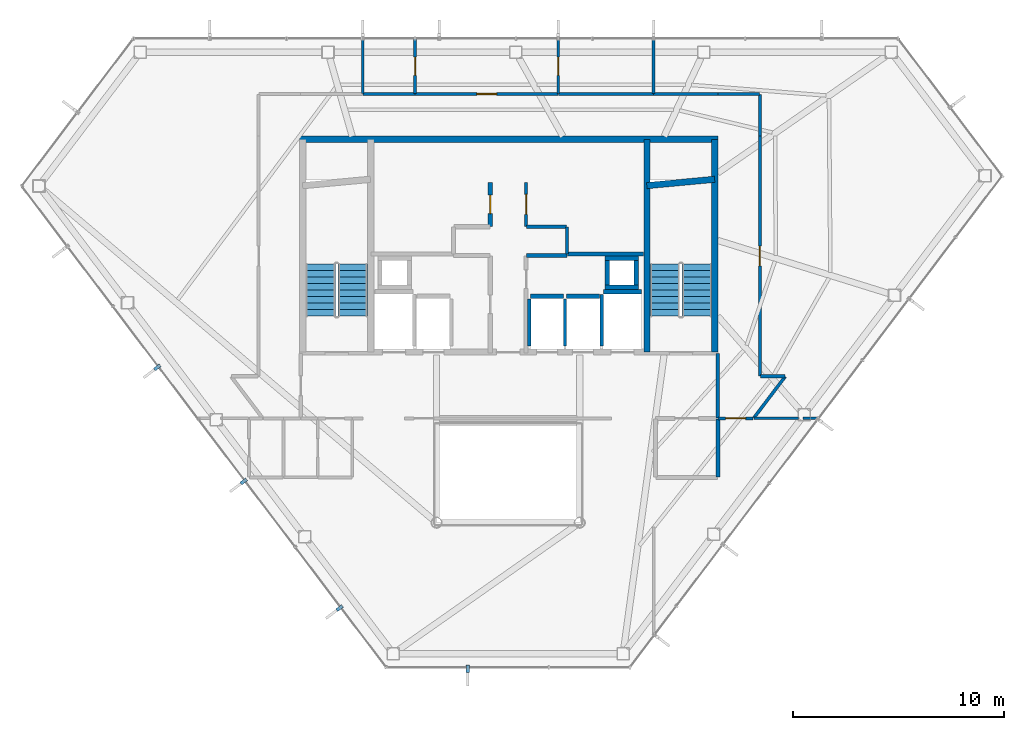
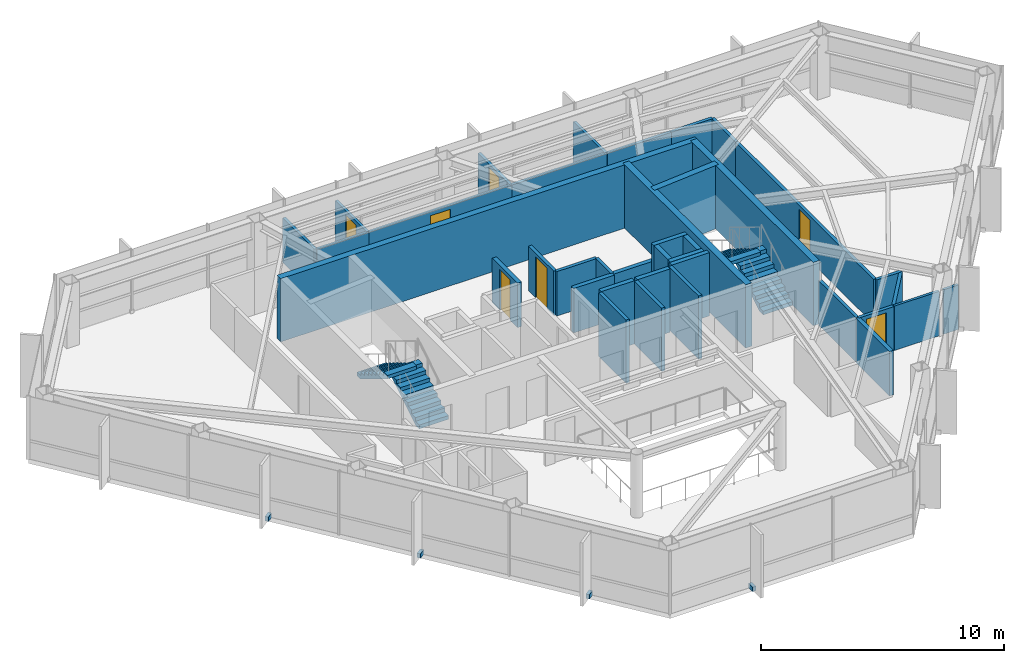
# One storey, part 25 of 27: 38 walls, 7 doors, 4 discrete accessories, 4 stair flights, 7 openings, 2 elements without a shape of their own.
"""IFC4 building model written with IfcOpenShell, lengths in metres."""

from ifc_helpers import new_model, si_unit, direction, frame, frame_2d, origin, origin_2d, place, context, subcontext, project, spatial, polyline, rectangle, outline, extrude, material, layer, layer_set, type_object, element, fill, aggregate, save


model = new_model("IFC4")

# Units and contexts
model_context = context("Model", 3, precision=1e-05, world=origin(), true_north=direction((0.0, 1.0)))
body_context = subcontext(model_context, "Body", "Model", "MODEL_VIEW")
ifc_project = project(units=[si_unit("LENGTHUNIT", "METRE"), si_unit("AREAUNIT", "SQUARE_METRE"), si_unit("VOLUMEUNIT", "CUBIC_METRE"), si_unit("PLANEANGLEUNIT", "RADIAN"), si_unit("MASSUNIT", "GRAM", prefix="KILO")], contexts=[model_context])

# Site, building, storey
site_placement = place(None, origin())
site = spatial("IfcSite", under=ifc_project, at=site_placement, CompositionType="ELEMENT")
building_placement = place(site_placement, origin())
building = spatial("IfcBuilding", under=site, at=building_placement, Name="Zarrinselat Tower", CompositionType="ELEMENT")
storey_placement = place(building_placement, frame((0.0, 0.0, 232.56005859375)))
storey = spatial("IfcBuildingStorey", under=building, at=storey_placement, Name="L58", CompositionType="ELEMENT", Elevation=232.56005859375)

# Wall
ifc_material_1 = material(Name="Concrete C40/50", Category="concrete")
ifc_layer_1 = layer(ifc_material_1, 0.18994140625)
ifc_layer_set_1 = layer_set([ifc_layer_1], Name="Concrete C40/50")
wall_type_1 = type_object("IfcWallType", Name="WAL-PART-EI120", PredefinedType="PARTITIONING", material=ifc_layer_set_1)
wall_1_placement = place(storey_placement, frame((48.35009765625, 27.3701171875, 0.0), z_axis=(0.0, 0.0, 1.0), x_axis=(0.0, 1.0, 0.0)))
element("IfcWall", 1, at=wall_1_placement, inside=storey, type_object=wall_type_1, Name="L58 Partition Wall 22", PredefinedType="PARTITIONING", context=body_context, shape_type="SweptSolid", body=[
    extrude(rectangle(XDim=2.759765625, YDim=0.18994140625, at=frame_2d((1.3798828125, 0.0))), origin(), (0.0, 0.0, 1.0), 2.23486328125),
])

# Wall, opening, door
ifc_material_2 = material(Name="Fire-Rated Gypsum Board Partition", Category="gypsum")
ifc_layer_2 = layer(ifc_material_2, 0.14990234375)
ifc_layer_set_2 = layer_set([ifc_layer_2], Name="Fire-Rated Gypsum Board Partition")
wall_type_2 = type_object("IfcWallType", Name="WAL-PART-EI60", PredefinedType="PARTITIONING", material=ifc_layer_set_2)
wall_2_placement = place(storey_placement, frame((39.25, 39.27001953125, 0.0), z_axis=(0.0, 0.0, 1.0), x_axis=(0.0, 1.0, 0.0)))
wall_2 = element("IfcWall", 2, at=wall_2_placement, inside=storey, type_object=wall_type_2, Name="L58 Partition Wall 8", PredefinedType="PARTITIONING", context=body_context, shape_type="SweptSolid", body=[
    extrude(rectangle(XDim=2.080078125, YDim=0.14990234375, at=frame_2d((1.0400390625, 0.0))), origin(), (0.0, 0.0, 1.0), 2.23486328125),
])
opening_1_placement = place(wall_2_placement, frame((0.570068359375, 0.0, 0.0)))
opening_1 = element("IfcOpeningElement", 3, at=opening_1_placement, cuts=wall_2, Name="Opening ID-04", PredefinedType="OPENING", context=body_context, shape_type="SweptSolid", body=[
    extrude(rectangle(XDim=0.93994140625, YDim=2.050048828125, at=frame_2d((0.469970703125, 1.02490234375))), frame((0.0, 0.0849609375, 0.0), z_axis=(0.0, -1.0, 0.0), x_axis=(1.0, 0.0, 0.0)), (0.0, 0.0, 1.0), 0.169921875),
])
ifc_material_3 = material(Name="Fire-Rated Gypsum Board Partition")
door_type_1 = type_object("IfcDoorType", Name="DR-INT-FD30-ENT", OperationType="NOTDEFINED", PredefinedType="DOOR", material=ifc_material_3)
door_1_placement = place(opening_1_placement, origin())
door_1 = element("IfcDoor", 4, at=door_1_placement, inside=storey, type_object=door_type_1, Name="L58 Interior Door P8", OperationType="SINGLE_SWING_LEFT", OverallHeight=2.050048828125, OverallWidth=0.93994140625, PredefinedType="DOOR", context=body_context, shape_type="SweptSolid", body=[
    extrude(rectangle(XDim=0.93994140625, YDim=2.050048828125, at=frame_2d((0.469970703125, 1.02490234375))), frame((0.0, 0.02490234375, 0.0), z_axis=(0.0, -1.0, 0.0), x_axis=(1.0, 0.0, 0.0)), (0.0, 0.0, 1.0), 0.050048828125),
])
fill(opening_1, door_1)

# Walls
wall_3_placement = place(storey_placement, frame((39.27001953125, 39.25, 0.0), z_axis=(0.0, 0.0, 1.0), x_axis=(1.0, 0.0, 0.0)))
element("IfcWall", 5, at=wall_3_placement, inside=storey, type_object=wall_type_2, Name="L58 Partition Wall 9", PredefinedType="PARTITIONING", context=body_context, shape_type="SweptSolid", body=[
    extrude(rectangle(XDim=1.909912109375, YDim=0.14990234375, at=frame_2d((0.955078125, 0.0))), origin(), (0.0, 0.0, 1.0), 2.23486328125),
])
wall_4_placement = place(storey_placement, frame((41.199951171875, 37.955078125, 0.0), z_axis=(0.0, 0.0, 1.0), x_axis=(0.0, 1.0, 0.0)))
element("IfcWall", 6, at=wall_4_placement, inside=storey, type_object=wall_type_2, Name="L58 Partition Wall 10", PredefinedType="PARTITIONING", context=body_context, shape_type="SweptSolid", body=[
    extrude(rectangle(XDim=1.27490234375, YDim=0.14990234375, at=frame_2d((0.637451171875, 0.0))), origin(), (0.0, 0.0, 1.0), 2.23486328125),
])
wall_5_placement = place(storey_placement, frame((48.35009765625, 30.169921875, 0.0), z_axis=(0.0, 0.0, 1.0), x_axis=(0.0, 1.0, 0.0)))
element("IfcWall", 7, at=wall_5_placement, inside=storey, type_object=wall_type_2, Name="L58 Partition Wall 15", PredefinedType="PARTITIONING", context=body_context, shape_type="SweptSolid", body=[
    extrude(rectangle(XDim=3.06005859375, YDim=0.14990234375, at=frame_2d((1.530029296875, 0.0))), origin(), (0.0, 0.0, 1.0), 2.23486328125),
])

# Wall, opening, door
wall_6_placement = place(storey_placement, frame((48.3701171875, 30.14990234375, 0.0), z_axis=(0.0, 0.0, 1.0), x_axis=(1.0, 0.0, 0.0)))
wall_6 = element("IfcWall", 8, at=wall_6_placement, inside=storey, type_object=wall_type_2, Name="L58 Partition Wall 25", PredefinedType="PARTITIONING", context=body_context, shape_type="SweptSolid", body=[
    extrude(rectangle(XDim=1.6552734375, YDim=0.14990234375, at=frame_2d((0.82763671875, 0.0))), origin(), (0.0, 0.0, 1.0), 2.23486328125),
])
opening_2_placement = place(wall_6_placement, frame((0.357666015625, 0.0, 0.0)))
opening_2 = element("IfcOpeningElement", 9, at=opening_2_placement, cuts=wall_6, Name="Opening ID-04", PredefinedType="OPENING", context=body_context, shape_type="SweptSolid", body=[
    extrude(rectangle(XDim=0.93994140625, YDim=2.050048828125, at=frame_2d((0.469970703125, 1.02490234375))), frame((0.0, 0.0849609375, 0.0), z_axis=(0.0, -1.0, 0.0), x_axis=(1.0, 0.0, 0.0)), (0.0, 0.0, 1.0), 0.169921875),
])
door_2_placement = place(opening_2_placement, origin())
door_2 = element("IfcDoor", 10, at=door_2_placement, inside=storey, type_object=door_type_1, Name="L58 Interior Door P25", OperationType="SINGLE_SWING_RIGHT", OverallHeight=2.050048828125, OverallWidth=0.93994140625, PredefinedType="DOOR", context=body_context, shape_type="SweptSolid", body=[
    extrude(rectangle(XDim=0.93994140625, YDim=2.050048828125, at=frame_2d((0.469970703125, 1.02490234375))), frame((0.0, 0.02490234375, 0.0), z_axis=(0.0, -1.0, 0.0), x_axis=(1.0, 0.0, 0.0)), (0.0, 0.0, 1.0), 0.050048828125),
])
fill(opening_2, door_2)

# Walls
wall_7_placement = place(storey_placement, frame((45.304931640625, 45.550048828125, 0.0), z_axis=(0.0, 0.0, 1.0), x_axis=(1.0, 0.0, 0.0)))
element("IfcWall", 11, at=wall_7_placement, inside=storey, type_object=wall_type_2, Name="L58 Partition Wall 32", PredefinedType="PARTITIONING", context=body_context, shape_type="SweptSolid", body=[
    extrude(rectangle(XDim=3.045166015625, YDim=0.14990234375, at=frame_2d((1.5224609375, 0.0))), origin(), (0.0, 0.0, 1.0), 2.23486328125),
])
for number, where, z_axis, x_axis, name in (
    (12, (48.35009765625, 45.550048828125, 0.0), (0.0, 0.0, 1.0), (1.0, 0.0, 0.0), "L58 Partition Wall 33"),
    (13, (50.35009765625, 43.550048828125, 0.0), (0.0, 0.0, 1.0), (0.0, 1.0, 0.0), "L58 Partition Wall 34"),
):
    element("IfcWall", number, at=place(storey_placement, frame(where, z_axis=z_axis, x_axis=x_axis)), inside=storey, type_object=wall_type_2, Name=name, PredefinedType="PARTITIONING", context=body_context, shape_type="SweptSolid", body=[
        extrude(rectangle(XDim=1.97998046875, YDim=0.14990234375, at=frame_2d((0.989990234375, 0.0))), origin(), (0.0, 0.0, 1.0), 2.23486328125),
    ])

# Wall, opening, door
wall_8_placement = place(storey_placement, frame((50.35009765625, 32.169921875, 0.0), z_axis=(0.0, 0.0, 1.0), x_axis=(0.0, 1.0, 0.0)))
wall_8 = element("IfcWall", 14, at=wall_8_placement, inside=storey, type_object=wall_type_2, Name="L58 Partition Wall 35", PredefinedType="PARTITIONING", context=body_context, shape_type="SweptSolid", body=[
    extrude(rectangle(XDim=11.380126953125, YDim=0.14990234375, at=frame_2d((5.68994140625, 0.0))), origin(), (0.0, 0.0, 1.0), 2.23486328125),
])
opening_3_placement = place(wall_8_placement, frame((5.219970703125, 0.0, 0.0)))
opening_3 = element("IfcOpeningElement", 15, at=opening_3_placement, cuts=wall_8, Name="Opening ID-04", PredefinedType="OPENING", context=body_context, shape_type="SweptSolid", body=[
    extrude(rectangle(XDim=0.93994140625, YDim=2.050048828125, at=frame_2d((0.469970703125, 1.02490234375))), frame((0.0, 0.0849609375, 0.0), z_axis=(0.0, -1.0, 0.0), x_axis=(1.0, 0.0, 0.0)), (0.0, 0.0, 1.0), 0.169921875),
])
door_3_placement = place(opening_3_placement, origin())
door_3 = element("IfcDoor", 16, at=door_3_placement, inside=storey, type_object=door_type_1, Name="L58 Interior Door P35", OperationType="SINGLE_SWING_RIGHT", OverallHeight=2.050048828125, OverallWidth=0.93994140625, PredefinedType="DOOR", context=body_context, shape_type="SweptSolid", body=[
    extrude(rectangle(XDim=0.93994140625, YDim=2.050048828125, at=frame_2d((0.469970703125, 1.02490234375))), frame((0.0, 0.02490234375, 0.0), z_axis=(0.0, -1.0, 0.0), x_axis=(1.0, 0.0, 0.0)), (0.0, 0.0, 1.0), 0.050048828125),
])
fill(opening_3, door_3)

# Walls
wall_9_placement = place(storey_placement, frame((50.3701171875, 32.14990234375, 0.0), z_axis=(0.0, 0.0, 1.0), x_axis=(1.0, 0.0, 0.0)))
element("IfcWall", 17, at=wall_9_placement, inside=storey, type_object=wall_type_2, Name="L58 Partition Wall 36", PredefinedType="PARTITIONING", context=body_context, shape_type="SweptSolid", body=[
    extrude(rectangle(XDim=1.17041015625, YDim=0.14990234375, at=frame_2d((0.585205078125, 0.0))), origin(), (0.0, 0.0, 1.0), 2.23486328125),
])
wall_10_placement = place(storey_placement, frame((50.057373046875, 30.166015625, 0.0), z_axis=(0.0, 0.0, 1.0), x_axis=(0.603869110647, 0.797083494502, 0.0)))
element("IfcWall", 18, at=wall_10_placement, inside=storey, type_object=wall_type_2, Name="L58 Partition Wall 37", PredefinedType="PARTITIONING", context=body_context, shape_type="SweptSolid", body=[
    extrude(rectangle(XDim=2.468994140625, YDim=0.14990234375, at=frame_2d((1.234375, 0.0))), origin(), (0.0, 0.0, 1.0), 2.23486328125),
])

# Wall, opening, door
wall_11_placement = place(storey_placement, frame((33.989013671875, 45.550048828125, 0.0), z_axis=(0.0, 0.0, 1.0), x_axis=(1.0, 0.0, 0.0)))
wall_11 = element("IfcWall", 19, at=wall_11_placement, inside=storey, type_object=wall_type_2, Name="L58 Partition Wall 38", PredefinedType="PARTITIONING", context=body_context, shape_type="SweptSolid", body=[
    extrude(rectangle(XDim=6.779541015625, YDim=0.14990234375, at=frame_2d((3.3896484375, 0.0))), origin(), (0.0, 0.0, 1.0), 2.23486328125),
])
opening_4_placement = place(wall_11_placement, frame((2.919921875, 0.0, 0.0)))
opening_4 = element("IfcOpeningElement", 20, at=opening_4_placement, cuts=wall_11, Name="Opening ID-04", PredefinedType="OPENING", context=body_context, shape_type="SweptSolid", body=[
    extrude(rectangle(XDim=0.93994140625, YDim=2.050048828125, at=frame_2d((0.469970703125, 1.02490234375))), frame((0.0, 0.0849609375, 0.0), z_axis=(0.0, -1.0, 0.0), x_axis=(1.0, 0.0, 0.0)), (0.0, 0.0, 1.0), 0.169921875),
])
door_4_placement = place(opening_4_placement, origin())
door_4 = element("IfcDoor", 21, at=door_4_placement, inside=storey, type_object=door_type_1, Name="L58 Interior Door P38", OperationType="SINGLE_SWING_LEFT", OverallHeight=2.050048828125, OverallWidth=0.93994140625, PredefinedType="DOOR", context=body_context, shape_type="SweptSolid", body=[
    extrude(rectangle(XDim=0.93994140625, YDim=2.050048828125, at=frame_2d((0.469970703125, 1.02490234375))), frame((0.0, 0.02490234375, 0.0), z_axis=(0.0, -1.0, 0.0), x_axis=(1.0, 0.0, 0.0)), (0.0, 0.0, 1.0), 0.050048828125),
])
fill(opening_4, door_4)

# Walls
wall_12_placement = place(storey_placement, frame((40.778564453125, 45.550048828125, 0.0), z_axis=(0.0, 0.0, 1.0), x_axis=(1.0, 0.0, 0.0)))
element("IfcWall", 22, at=wall_12_placement, inside=storey, type_object=wall_type_2, Name="L58 Partition Wall 39", PredefinedType="PARTITIONING", context=body_context, shape_type="SweptSolid", body=[
    extrude(rectangle(XDim=4.516357421875, YDim=0.14990234375, at=frame_2d((2.25830078125, 0.0))), origin(), (0.0, 0.0, 1.0), 2.23486328125),
])
wall_13_placement = place(storey_placement, frame((31.5048828125, 45.550048828125, 0.0), z_axis=(0.0, 0.0, 1.0), x_axis=(1.0, 0.0, 0.0)))
element("IfcWall", 23, at=wall_13_placement, inside=storey, type_object=wall_type_2, Name="L58 Partition Wall 40", PredefinedType="PARTITIONING", context=body_context, shape_type="SweptSolid", body=[
    extrude(rectangle(XDim=2.47412109375, YDim=0.14990234375, at=frame_2d((1.237060546875, 0.0))), origin(), (0.0, 0.0, 1.0), 2.23486328125),
])

# Wall, opening, door
ifc_material_4 = material(Name="Concrete C40/50", Category="concrete")
ifc_layer_3 = layer(ifc_material_4, 0.199951171875)
ifc_layer_set_3 = layer_set([ifc_layer_3], Name="Concrete C40/50")
wall_type_3 = type_object("IfcWallType", Name="WAL-PART-PLANT", PredefinedType="PARTITIONING", material=ifc_layer_set_3)
wall_14_placement = place(storey_placement, frame((37.550048828125, 39.27001953125, 0.0), z_axis=(0.0, 0.0, 1.0), x_axis=(0.0, 1.0, 0.0)))
wall_14 = element("IfcWall", 24, at=wall_14_placement, inside=storey, type_object=wall_type_3, Name="L58 Partition Wall 5", PredefinedType="PARTITIONING", context=body_context, shape_type="SweptSolid", body=[
    extrude(rectangle(XDim=2.080078125, YDim=0.199951171875, at=frame_2d((1.0400390625, 0.0))), origin(), (0.0, 0.0, 1.0), 2.23486328125),
])
opening_5_placement = place(wall_14_placement, frame((0.60009765625, 0.0, 0.0)))
opening_5 = element("IfcOpeningElement", 25, at=opening_5_placement, cuts=wall_14, Name="Opening ID-03", PredefinedType="OPENING", context=body_context, shape_type="SweptSolid", body=[
    extrude(rectangle(XDim=0.8798828125, YDim=2.050048828125, at=frame_2d((0.43994140625, 1.02490234375))), frame((0.0, 0.10986328125, 0.0), z_axis=(0.0, -1.0, 0.0), x_axis=(1.0, 0.0, 0.0)), (0.0, 0.0, 1.0), 0.219970703125),
])
ifc_material_5 = material(Name="Steel S355J2", Category="steel")
door_type_2 = type_object("IfcDoorType", Name="DR-INT-FD60-S", OperationType="NOTDEFINED", PredefinedType="DOOR", material=ifc_material_5)
door_5_placement = place(opening_5_placement, origin())
door_5 = element("IfcDoor", 26, at=door_5_placement, inside=storey, type_object=door_type_2, Name="L58 Interior Door P5", OperationType="SINGLE_SWING_LEFT", OverallHeight=2.050048828125, OverallWidth=0.8798828125, PredefinedType="DOOR", context=body_context, shape_type="SweptSolid", body=[
    extrude(rectangle(XDim=0.8798828125, YDim=2.050048828125, at=frame_2d((0.43994140625, 1.02490234375))), frame((0.0, 0.02490234375, 0.0), z_axis=(0.0, -1.0, 0.0), x_axis=(1.0, 0.0, 0.0)), (0.0, 0.0, 1.0), 0.050048828125),
])
fill(opening_5, door_5)

# Walls
wall_15_placement = place(storey_placement, frame((39.27001953125, 37.8798828125, 0.0), z_axis=(0.0, 0.0, 1.0), x_axis=(1.0, 0.0, 0.0)))
element("IfcWall", 27, at=wall_15_placement, inside=storey, type_object=wall_type_3, Name="L58 Partition Wall 6", PredefinedType="PARTITIONING", context=body_context, shape_type="SweptSolid", body=[
    extrude(rectangle(XDim=1.929931640625, YDim=0.199951171875, at=frame_2d((0.96484375, 0.0))), origin(), (0.0, 0.0, 1.0), 2.23486328125),
])
wall_16_placement = place(storey_placement, frame((41.219970703125, 37.949951171875, 0.0), z_axis=(0.0, 0.0, 1.0), x_axis=(1.0, 0.0, 0.0)))
element("IfcWall", 28, at=wall_16_placement, inside=storey, type_object=wall_type_3, Name="L58 Partition Wall 12", PredefinedType="PARTITIONING", context=body_context, shape_type="SweptSolid", body=[
    extrude(rectangle(XDim=3.614990234375, YDim=0.199951171875, at=frame_2d((1.8076171875, 0.0))), origin(), (0.0, 0.0, 1.0), 2.23486328125),
])
ifc_material_6 = material(Name="Fire-Rated Gypsum Board Partition", Category="gypsum")
ifc_layer_4 = layer(ifc_material_6, 0.1201171875)
ifc_layer_set_4 = layer_set([ifc_layer_4], Name="Fire-Rated Gypsum Board Partition")
wall_type_4 = type_object("IfcWallType", Name="WAL-PART-STD", PredefinedType="PARTITIONING", material=ifc_layer_set_4)
wall_17_placement = place(storey_placement, frame((50.065185546875, 30.14990234375, 0.0), z_axis=(0.0, 0.0, 1.0), x_axis=(1.0, 0.0, 0.0)))
element("IfcWall", 29, at=wall_17_placement, inside=storey, type_object=wall_type_4, Name="L58 Partition Wall 52", PredefinedType="PARTITIONING", context=body_context, shape_type="SweptSolid", body=[
    extrude(rectangle(XDim=2.13134765625, YDim=0.1201171875, at=frame_2d((1.065673828125, 0.0))), origin(), (0.0, 0.0, 1.0), 2.23486328125),
])
wall_18_placement = place(storey_placement, frame((52.403564453125, 30.14990234375, 0.0), z_axis=(0.0, 0.0, 1.0), x_axis=(1.0, 0.0, 0.0)))
element("IfcWall", 30, at=wall_18_placement, inside=storey, type_object=wall_type_4, Name="L58 Partition Wall 53", PredefinedType="PARTITIONING", context=body_context, shape_type="SweptSolid", body=[
    extrude(rectangle(XDim=0.712890625, YDim=0.1201171875, at=frame_2d((0.3564453125, 0.0))), origin(), (0.0, 0.0, 1.0), 2.23486328125),
])
ifc_material_7 = material(Name="Fire-Rated Gypsum Board Partition", Category="gypsum")
ifc_layer_5 = layer(ifc_material_7, 0.135009765625)
ifc_layer_set_5 = layer_set([ifc_layer_5], Name="Fire-Rated Gypsum Board Partition")
wall_type_5 = type_object("IfcWallType", Name="WAL-PART-WET", PredefinedType="PARTITIONING", material=ifc_layer_set_5)
for number, where, z_axis, x_axis, name in (
    (31, (31.5, 45.570068359375, 0.0), (0.0, 0.0, 1.0), (0.0, 1.0, 0.0), "L58 Partition Wall 54"),
    (32, (45.300048828125, 45.570068359375, 0.0), (0.0, 0.0, 1.0), (0.0, 1.0, 0.0), "L58 Partition Wall 55"),
):
    element("IfcWall", number, at=place(storey_placement, frame(where, z_axis=z_axis, x_axis=x_axis)), inside=storey, type_object=wall_type_5, Name=name, PredefinedType="PARTITIONING", context=body_context, shape_type="SweptSolid", body=[
        extrude(rectangle(XDim=2.5927734375, YDim=0.135009765625, at=frame_2d((1.29638671875, 0.0))), origin(), (0.0, 0.0, 1.0), 2.23486328125),
    ])

# Wall, opening, door
wall_19_placement = place(storey_placement, frame((40.773681640625, 45.570068359375, 0.0), z_axis=(0.0, 0.0, 1.0), x_axis=(0.0, 1.0, 0.0)))
wall_19 = element("IfcWall", 33, at=wall_19_placement, inside=storey, type_object=wall_type_5, Name="L58 Partition Wall 56", PredefinedType="PARTITIONING", context=body_context, shape_type="SweptSolid", body=[
    extrude(rectangle(XDim=2.5927734375, YDim=0.135009765625, at=frame_2d((1.29638671875, 0.0))), origin(), (0.0, 0.0, 1.0), 2.23486328125),
])
opening_6_placement = place(wall_19_placement, frame((0.866455078125, 0.0, 0.0)))
opening_6 = element("IfcOpeningElement", 34, at=opening_6_placement, cuts=wall_19, Name="Opening ID-06", PredefinedType="OPENING", context=body_context, shape_type="SweptSolid", body=[
    extrude(rectangle(XDim=0.860107421875, YDim=2.050048828125, at=frame_2d((0.43017578125, 1.02490234375))), frame((0.0, 0.077392578125, 0.0), z_axis=(0.0, -1.0, 0.0), x_axis=(1.0, 0.0, 0.0)), (0.0, 0.0, 1.0), 0.155029296875),
])
ifc_material_8 = material(Name="Extruded Aluminium Alloy EN AW-6063 T6", Category="aluminium")
door_type_3 = type_object("IfcDoorType", Name="DR-INT-WET-900", OperationType="NOTDEFINED", PredefinedType="DOOR", material=ifc_material_8)
door_6_placement = place(opening_6_placement, origin())
door_6 = element("IfcDoor", 35, at=door_6_placement, inside=storey, type_object=door_type_3, Name="L58 Interior Door P56", OperationType="SINGLE_SWING_RIGHT", OverallHeight=2.050048828125, OverallWidth=0.860107421875, PredefinedType="DOOR", context=body_context, shape_type="SweptSolid", body=[
    extrude(rectangle(XDim=0.860107421875, YDim=2.050048828125, at=frame_2d((0.43017578125, 1.02490234375))), frame((0.0, 0.02490234375, 0.0), z_axis=(0.0, -1.0, 0.0), x_axis=(1.0, 0.0, 0.0)), (0.0, 0.0, 1.0), 0.050048828125),
])
fill(opening_6, door_6)

wall_20_placement = place(storey_placement, frame((33.98388671875, 45.570068359375, 0.0), z_axis=(0.0, 0.0, 1.0), x_axis=(0.0, 1.0, 0.0)))
wall_20 = element("IfcWall", 36, at=wall_20_placement, inside=storey, type_object=wall_type_5, Name="L58 Partition Wall 57", PredefinedType="PARTITIONING", context=body_context, shape_type="SweptSolid", body=[
    extrude(rectangle(XDim=2.5927734375, YDim=0.135009765625, at=frame_2d((1.29638671875, 0.0))), origin(), (0.0, 0.0, 1.0), 2.23486328125),
])
opening_7_placement = place(wall_20_placement, frame((0.866455078125, 0.0, 0.0)))
opening_7 = element("IfcOpeningElement", 37, at=opening_7_placement, cuts=wall_20, Name="Opening ID-06", PredefinedType="OPENING", context=body_context, shape_type="SweptSolid", body=[
    extrude(rectangle(XDim=0.860107421875, YDim=2.050048828125, at=frame_2d((0.43017578125, 1.02490234375))), frame((0.0, 0.077392578125, 0.0), z_axis=(0.0, -1.0, 0.0), x_axis=(1.0, 0.0, 0.0)), (0.0, 0.0, 1.0), 0.155029296875),
])
door_7_placement = place(opening_7_placement, origin())
door_7 = element("IfcDoor", 38, at=door_7_placement, inside=storey, type_object=door_type_3, Name="L58 Interior Door P57", OperationType="SINGLE_SWING_LEFT", OverallHeight=2.050048828125, OverallWidth=0.860107421875, PredefinedType="DOOR", context=body_context, shape_type="SweptSolid", body=[
    extrude(rectangle(XDim=0.860107421875, YDim=2.050048828125, at=frame_2d((0.43017578125, 1.02490234375))), frame((0.0, 0.02490234375, 0.0), z_axis=(0.0, -1.0, 0.0), x_axis=(1.0, 0.0, 0.0)), (0.0, 0.0, 1.0), 0.050048828125),
])
fill(opening_7, door_7)

# Walls
ifc_material_9 = material(Name="Concrete C40/50", Category="concrete")
ifc_layer_6 = layer(ifc_material_9, 0.2099609375)
ifc_layer_set_6 = layer_set([ifc_layer_6], Name="Concrete C40/50")
wall_type_6 = type_object("IfcWallType", Name="WAL-SHAFT-210", PredefinedType="SOLIDWALL", material=ifc_layer_set_6)
wall_21_placement = place(storey_placement, frame((42.919921875, 36.155029296875, 0.0), z_axis=(0.0, 0.0, 1.0), x_axis=(1.0, 0.0, 0.0)))
element("IfcWall", 39, at=wall_21_placement, inside=storey, type_object=wall_type_6, Name="L58 Lift FFL2 North Shaft Wall", PredefinedType="SOLIDWALL", context=body_context, shape_type="SweptSolid", body=[
    extrude(rectangle(XDim=1.800048828125, YDim=0.2099609375, at=frame_2d((0.89990234375, 0.0))), origin(), (0.0, 0.0, 1.0), 3.179931640625),
])
wall_22_placement = place(storey_placement, frame((42.85009765625, 33.580078125, 0.0), z_axis=(0.0, 0.0, 1.0), x_axis=(0.0, 1.0, 0.0)))
element("IfcWall", 40, at=wall_22_placement, inside=storey, type_object=wall_type_6, Name="L58 Lift FFL2 W Shaft Wall", PredefinedType="SOLIDWALL", context=body_context, shape_type="SweptSolid", body=[
    extrude(rectangle(XDim=2.449951171875, YDim=0.159912109375, at=frame_2d((1.22509765625, 0.0))), origin(), (0.0, 0.0, 1.0), 3.179931640625),
])
wall_23_placement = place(storey_placement, frame((39.469970703125, 35.955078125, 0.0), z_axis=(0.0, 0.0, 1.0), x_axis=(1.0, 0.0, 0.0)))
element("IfcWall", 41, at=wall_23_placement, inside=storey, type_object=wall_type_6, Name="L58 Lift PL8 North Shaft Wall", PredefinedType="SOLIDWALL", context=body_context, shape_type="SweptSolid", body=[
    extrude(rectangle(XDim=1.56005859375, YDim=0.2099609375, at=frame_2d((0.780029296875, 0.0))), origin(), (0.0, 0.0, 1.0), 3.179931640625),
])
for number, where, z_axis, x_axis, name in (
    (42, (39.39990234375, 33.580078125, 0.0), (0.0, 0.0, 1.0), (0.0, 1.0, 0.0), "L58 Lift PL8 W Shaft Wall"),
    (43, (41.10009765625, 33.580078125, 0.0), (0.0, 0.0, 1.0), (0.0, 1.0, 0.0), "L58 Lift PL8 E Shaft Wall"),
):
    element("IfcWall", number, at=place(storey_placement, frame(where, z_axis=z_axis, x_axis=x_axis)), inside=storey, type_object=wall_type_6, Name=name, PredefinedType="SOLIDWALL", context=body_context, shape_type="SweptSolid", body=[
        extrude(rectangle(XDim=2.25, YDim=0.159912109375, at=frame_2d((1.125, 0.0))), origin(), (0.0, 0.0, 1.0), 3.179931640625),
    ])
wall_24_placement = place(storey_placement, frame((41.169921875, 35.955078125, 0.0), z_axis=(0.0, 0.0, 1.0), x_axis=(1.0, 0.0, 0.0)))
element("IfcWall", 44, at=wall_24_placement, inside=storey, type_object=wall_type_6, Name="L58 Lift PL9 North Shaft Wall", PredefinedType="SOLIDWALL", context=body_context, shape_type="SweptSolid", body=[
    extrude(rectangle(XDim=1.56005859375, YDim=0.2099609375, at=frame_2d((0.780029296875, 0.0))), origin(), (0.0, 0.0, 1.0), 3.179931640625),
])
for number, where, z_axis, x_axis, name in (
    (45, (42.989990234375, 36.375, 0.0), (0.0, 0.0, 1.0), (1.0, 0.0, 0.0), "L58 Core Riser RSR-E S Shaft Wall"),
    (46, (42.989990234375, 37.7451171875, 0.0), (0.0, 0.0, 1.0), (1.0, 0.0, 0.0), "L58 Core Riser RSR-E N Shaft Wall"),
):
    element("IfcWall", number, at=place(storey_placement, frame(where, z_axis=z_axis, x_axis=x_axis)), inside=storey, type_object=wall_type_6, Name=name, PredefinedType="SOLIDWALL", context=body_context, shape_type="SweptSolid", body=[
        extrude(rectangle(XDim=1.60009765625, YDim=0.2099609375, at=frame_2d((0.800048828125, 0.0))), origin(), (0.0, 0.0, 1.0), 3.179931640625),
    ])
for number, where, z_axis, x_axis, name in (
    (47, (43.094970703125, 36.485107421875, 0.0), (0.0, 0.0, 1.0), (0.0, 1.0, 0.0), "L58 Core Riser RSR-E W Shaft Wall"),
    (48, (44.485107421875, 36.485107421875, 0.0), (0.0, 0.0, 1.0), (0.0, 1.0, 0.0), "L58 Core Riser RSR-E E Shaft Wall"),
):
    element("IfcWall", number, at=place(storey_placement, frame(where, z_axis=z_axis, x_axis=x_axis)), inside=storey, type_object=wall_type_6, Name=name, PredefinedType="SOLIDWALL", context=body_context, shape_type="SweptSolid", body=[
        extrude(rectangle(XDim=1.14990234375, YDim=0.2099609375, at=frame_2d((0.574951171875, 0.0))), origin(), (0.0, 0.0, 1.0), 3.179931640625),
    ])
ifc_material_10 = material(Name="Concrete C40/50", Category="concrete")
ifc_layer_7 = layer(ifc_material_10, 0.300048828125)
ifc_layer_set_7 = layer_set([ifc_layer_7], Name="Concrete C40/50")
wall_type_7 = type_object("IfcWallType", Name="WAL-SHEAR-300", PredefinedType="SHEAR", material=ifc_layer_set_7)
wall_25_placement = place(storey_placement, frame((28.5, 43.39990234375, 0.0), z_axis=(0.0, 0.0, 1.0), x_axis=(1.0, 0.0, 0.0)))
element("IfcWall", 49, at=wall_25_placement, inside=storey, type_object=wall_type_7, Name="L58 North Core Shear Wall", PredefinedType="SHEAR", context=body_context, shape_type="SweptSolid", body=[
    extrude(rectangle(XDim=19.860107421875, YDim=0.300048828125, at=frame_2d((9.93017578125, 0.0))), origin(), (0.0, 0.0, 1.0), 3.179931640625),
])
for number, where, z_axis, x_axis, name in (
    (50, (44.989990234375, 33.300048828125, 0.0), (0.0, 0.0, 1.0), (0.0, 1.0, 0.0), "L58 Core Shear Wall ST2W"),
    (51, (48.2099609375, 33.300048828125, 0.0), (0.0, 0.0, 1.0), (0.0, 1.0, 0.0), "L58 Core Shear Wall E"),
):
    element("IfcWall", number, at=place(storey_placement, frame(where, z_axis=z_axis, x_axis=x_axis)), inside=storey, type_object=wall_type_7, Name=name, PredefinedType="SHEAR", context=body_context, shape_type="SweptSolid", body=[
        extrude(rectangle(XDim=10.099853515625, YDim=0.300048828125, at=frame_2d((5.0498046875, 0.0))), origin(), (0.0, 0.0, 1.0), 3.179931640625),
    ])
wall_26_placement = place(storey_placement, frame((44.97998046875, 41.199951171875, 0.0), z_axis=(0.0, 0.0, 1.0), x_axis=(0.995686468965, 0.09278176286, 0.0)))
element("IfcWall", 52, at=wall_26_placement, inside=storey, type_object=wall_type_7, Name="L58 Stair 2 North Shaft Wall", PredefinedType="SHEAR", context=body_context, shape_type="SweptSolid", body=[
    extrude(rectangle(XDim=3.23388671875, YDim=0.300048828125, at=frame_2d((1.616943359375, 0.0))), origin(), (0.0, 0.0, 1.0), 3.179931640625),
])

# Stair, stair flights
ifc_material_11 = material(Name="Concrete C40/50", Category="concrete")
stair_type = type_object("IfcStairType", Name="STR-CORE-155", PredefinedType="HALF_TURN_STAIR", material=ifc_material_11)
stair_1_placement = place(storey_placement, origin())
stair_1 = element("IfcStair", 53, at=stair_1_placement, inside=storey, type_object=stair_type, Name="L58 Core Exit Stair 1", PredefinedType="HALF_TURN_STAIR")
ifc_material_12 = material(Name="Concrete C40/50", Category="concrete")
stair_flight_type = type_object("IfcStairFlightType", Name="STR-FLT-155", PredefinedType="STRAIGHT", material=ifc_material_12)
stair_flight_1_placement = place(storey_placement, frame((31.02001953125, 35.0, 0.0), z_axis=(0.0, 0.0, 1.0), x_axis=(0.0, 1.0, 0.0)))
stair_flight_1 = element("IfcStairFlight", 54, at=stair_flight_1_placement, type_object=stair_flight_type, Name="ST-1 flight 1", NumberOfRisers=9, NumberOfTreads=8, PredefinedType="STRAIGHT", RiserHeight=0.188888889, TreadLength=0.31, context=body_context, shape_type="SweptSolid", body=[
    extrude(outline(polyline([(0.0, 0.0), (0.0, 0.18896484375), (0.31005859375, 0.18896484375), (0.31005859375, 0.377685546875), (0.6201171875, 0.377685546875), (0.6201171875, 0.566650390625), (0.929931640625, 0.566650390625), (0.929931640625, 0.755615234375), (1.239990234375, 0.755615234375), (1.239990234375, 0.9443359375), (1.550048828125, 0.9443359375), (1.550048828125, 1.13330078125), (1.860107421875, 1.13330078125), (1.860107421875, 1.322265625), (2.169921875, 1.322265625), (2.169921875, 1.51123046875), (2.47998046875, 1.51123046875), (2.47998046875, 1.699951171875), (2.47998046875, 1.335693359375), (0.2880859375, 0.0), (0.0, 0.0)])), frame((0.0, 0.699951171875, 0.0), z_axis=(0.0, -1.0, 0.0), x_axis=(1.0, 0.0, 0.0)), (0.0, 0.0, 1.0), 1.39990234375),
])
stair_flight_2_placement = place(storey_placement, frame((29.5, 37.47998046875, 1.699951171875), z_axis=(0.0, 0.0, 1.0), x_axis=(0.0, -1.0, 0.0)))
stair_flight_2 = element("IfcStairFlight", 55, at=stair_flight_2_placement, type_object=stair_flight_type, Name="ST-1 flight 2", NumberOfRisers=9, NumberOfTreads=8, PredefinedType="STRAIGHT", RiserHeight=0.188888889, TreadLength=0.31, context=body_context, shape_type="SweptSolid", body=[
    extrude(outline(polyline([(0.0, 0.0), (0.0, 0.18896484375), (0.31005859375, 0.18896484375), (0.31005859375, 0.377685546875), (0.6201171875, 0.377685546875), (0.6201171875, 0.566650390625), (0.929931640625, 0.566650390625), (0.929931640625, 0.755615234375), (1.239990234375, 0.755615234375), (1.239990234375, 0.9443359375), (1.550048828125, 0.9443359375), (1.550048828125, 1.13330078125), (1.860107421875, 1.13330078125), (1.860107421875, 1.322265625), (2.169921875, 1.322265625), (2.169921875, 1.51123046875), (2.47998046875, 1.51123046875), (2.47998046875, 1.699951171875), (2.47998046875, 1.335693359375), (0.2880859375, 0.0), (0.0, 0.0)])), frame((0.0, 0.699951171875, 0.0), z_axis=(0.0, -1.0, 0.0), x_axis=(1.0, 0.0, 0.0)), (0.0, 0.0, 1.0), 1.39990234375),
])
aggregate(stair_1, [stair_flight_1, stair_flight_2])

stair_2_placement = place(storey_placement, origin())
stair_2 = element("IfcStair", 56, at=stair_2_placement, inside=storey, type_object=stair_type, Name="L58 Core Exit Stair 2", PredefinedType="HALF_TURN_STAIR")
stair_flight_3_placement = place(storey_placement, frame((47.360107421875, 35.0, 0.0), z_axis=(0.0, 0.0, 1.0), x_axis=(0.0, 1.0, 0.0)))
stair_flight_3 = element("IfcStairFlight", 57, at=stair_flight_3_placement, type_object=stair_flight_type, Name="ST-2 flight 1", NumberOfRisers=9, NumberOfTreads=8, PredefinedType="STRAIGHT", RiserHeight=0.188888889, TreadLength=0.31, context=body_context, shape_type="SweptSolid", body=[
    extrude(outline(polyline([(0.0, 0.0), (0.0, 0.18896484375), (0.31005859375, 0.18896484375), (0.31005859375, 0.377685546875), (0.6201171875, 0.377685546875), (0.6201171875, 0.566650390625), (0.929931640625, 0.566650390625), (0.929931640625, 0.755615234375), (1.239990234375, 0.755615234375), (1.239990234375, 0.9443359375), (1.550048828125, 0.9443359375), (1.550048828125, 1.13330078125), (1.860107421875, 1.13330078125), (1.860107421875, 1.322265625), (2.169921875, 1.322265625), (2.169921875, 1.51123046875), (2.47998046875, 1.51123046875), (2.47998046875, 1.699951171875), (2.47998046875, 1.335693359375), (0.2880859375, 0.0), (0.0, 0.0)])), frame((0.0, 0.699951171875, 0.0), z_axis=(0.0, -1.0, 0.0), x_axis=(1.0, 0.0, 0.0)), (0.0, 0.0, 1.0), 1.39990234375),
])
stair_flight_4_placement = place(storey_placement, frame((45.840087890625, 37.47998046875, 1.699951171875), z_axis=(0.0, 0.0, 1.0), x_axis=(0.0, -1.0, 0.0)))
stair_flight_4 = element("IfcStairFlight", 58, at=stair_flight_4_placement, type_object=stair_flight_type, Name="ST-2 flight 2", NumberOfRisers=9, NumberOfTreads=8, PredefinedType="STRAIGHT", RiserHeight=0.188888889, TreadLength=0.31, context=body_context, shape_type="SweptSolid", body=[
    extrude(outline(polyline([(0.0, 0.0), (0.0, 0.18896484375), (0.31005859375, 0.18896484375), (0.31005859375, 0.377685546875), (0.6201171875, 0.377685546875), (0.6201171875, 0.566650390625), (0.929931640625, 0.566650390625), (0.929931640625, 0.755615234375), (1.239990234375, 0.755615234375), (1.239990234375, 0.9443359375), (1.550048828125, 0.9443359375), (1.550048828125, 1.13330078125), (1.860107421875, 1.13330078125), (1.860107421875, 1.322265625), (2.169921875, 1.322265625), (2.169921875, 1.51123046875), (2.47998046875, 1.51123046875), (2.47998046875, 1.699951171875), (2.47998046875, 1.335693359375), (0.2880859375, 0.0), (0.0, 0.0)])), frame((0.0, 0.699951171875, 0.0), z_axis=(0.0, -1.0, 0.0), x_axis=(1.0, 0.0, 0.0)), (0.0, 0.0, 1.0), 1.39990234375),
])
aggregate(stair_2, [stair_flight_3, stair_flight_4])

# Discrete accessories
ifc_material_13 = material(Name="Steel S355J2", Category="steel")
discrete_accessory_type = type_object("IfcDiscreteAccessoryType", Name="ACC-FIN-BRACKET", PredefinedType="BRACKET", material=ifc_material_13)
for number, where, z_axis, x_axis, name in (
    (59, (21.746337890625, 32.5712890625, -0.0498046875), (0.0, 0.0, 1.0), (-0.7970923517, -0.603857419315, 0.0), "L58 Fin Fixing Bracket CW-L58-E03-03"),
    (60, (25.84716796875, 27.158203125, -0.0498046875), (0.0, 0.0, 1.0), (-0.7970923517, -0.603857419315, 0.0), "L58 Fin Fixing Bracket CW-L58-E03-05"),
    (61, (30.400634765625, 21.147705078125, -0.0498046875), (0.0, 0.0, 1.0), (-0.7970923517, -0.603857419315, 0.0), "L58 Fin Fixing Bracket CW-L58-E03-07"),
    (62, (36.473388671875, 18.263916015625, -0.0498046875), (0.0, 0.0, 1.0), (0.0, -1.0, 0.0), "L58 Fin Fixing Bracket CW-L58-E04-01"),
):
    element("IfcDiscreteAccessory", number, at=place(storey_placement, frame(where, z_axis=z_axis, x_axis=x_axis)), inside=storey, type_object=discrete_accessory_type, Name=name, PredefinedType="BRACKET", context=body_context, shape_type="SweptSolid", body=[
        extrude(rectangle(XDim=0.340087890625, YDim=0.159912109375, at=origin_2d()), origin(), (0.0, 0.0, 1.0), 0.219970703125),
    ])

save(model, "model.ifc")
